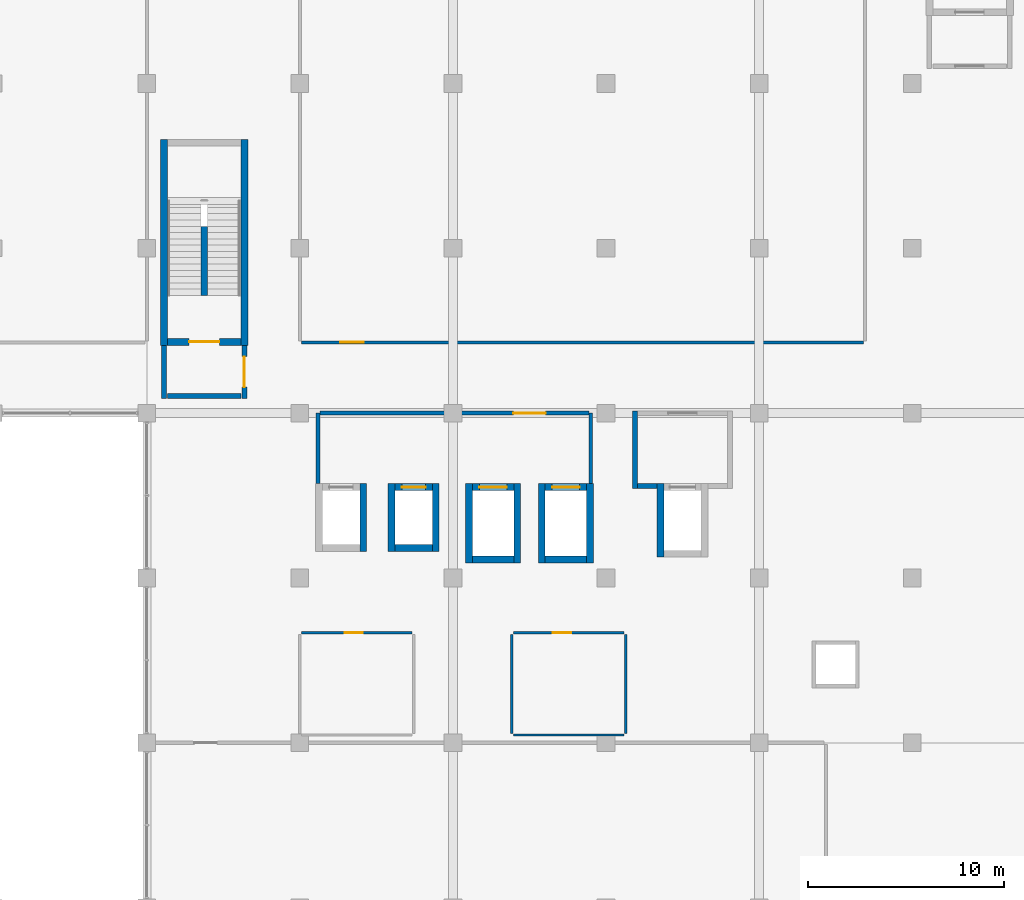
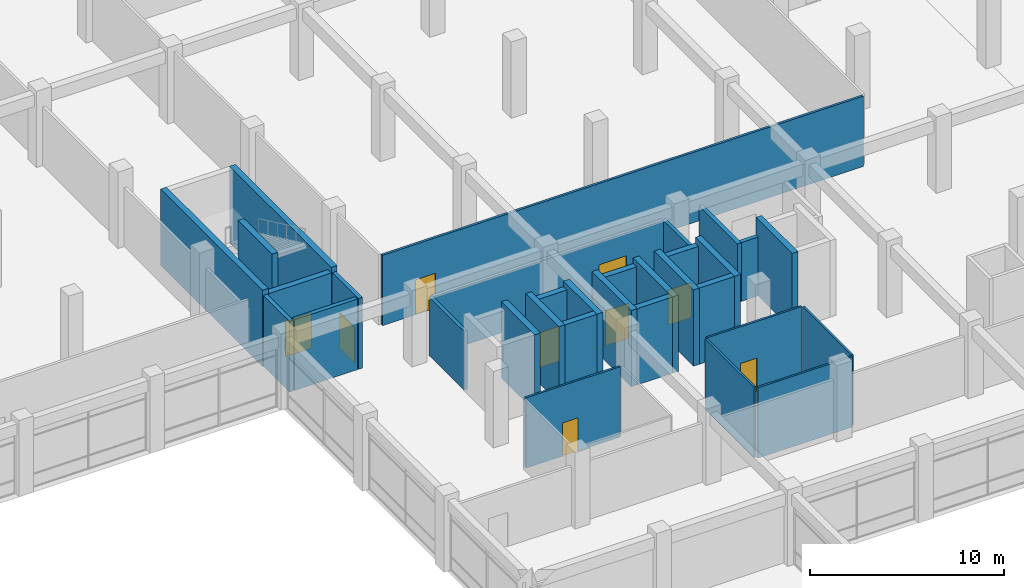
# One storey, part 58 of 79: 32 walls, 9 doors, 9 openings.
"""IFC4 building model written with IfcOpenShell, lengths in metres."""

from ifc_helpers import new_model, si_unit, direction, frame, frame_2d, origin, place, context, subcontext, project, spatial, rectangle, extrude, material, layer, layer_set, type_object, element, fill, save


model = new_model("IFC4")

# Units and contexts
model_context = context("Model", 3, precision=1e-05, world=origin(), true_north=direction((0.0, 1.0)))
body_context = subcontext(model_context, "Body", "Model", "MODEL_VIEW")
ifc_project = project(units=[si_unit("LENGTHUNIT", "METRE"), si_unit("AREAUNIT", "SQUARE_METRE"), si_unit("VOLUMEUNIT", "CUBIC_METRE"), si_unit("PLANEANGLEUNIT", "RADIAN"), si_unit("MASSUNIT", "GRAM", prefix="KILO"), si_unit("THERMODYNAMICTEMPERATUREUNIT", "KELVIN"), si_unit("POWERUNIT", "WATT")], contexts=[model_context])

# Site, building, storey
site_placement = place(None, origin())
site = spatial("IfcSite", under=ifc_project, at=site_placement, CompositionType="ELEMENT")
building_placement = place(site_placement, origin())
building = spatial("IfcBuilding", under=site, at=building_placement, Name="Srebrne Nadtorze General Hospital", CompositionType="ELEMENT")
storey_placement = place(building_placement, frame((0.0, 0.0, 4.800048828125)))
storey = spatial("IfcBuildingStorey", under=building, at=storey_placement, Name="L01", CompositionType="ELEMENT", Elevation=4.800048828125)

# Wall, opening, door
ifc_material_1 = material(Name="Gypsum Healthcare Partition")
ifc_layer_1 = layer(ifc_material_1, 0.139892578125)
ifc_layer_set_1 = layer_set([ifc_layer_1], Name="Gypsum Healthcare Partition")
wall_type_1 = type_object("IfcWallType", Name="Clinical partition 140", PredefinedType="PARTITIONING", material=ifc_layer_set_1)
wall_1_placement = place(storey_placement, frame((109.284912109375, 54.0, 0.0), z_axis=(0.0, 0.0, 1.0), x_axis=(1.0, 0.0, 0.0)))
wall_1 = element("IfcWall", 1, at=wall_1_placement, inside=storey, type_object=wall_type_1, Name="Nuclear Medicine Diagnostics wall WL-INT-L01-1447", PredefinedType="PARTITIONING", context=body_context, shape_type="SweptSolid", body=[
    extrude(rectangle(XDim=28.630126953125, YDim=0.139892578125, at=frame_2d((14.31494140625, 0.0))), origin(), (0.0, 0.0, 1.0), 4.429931640625),
])
opening_1_placement = place(wall_1_placement, frame((1.9814453125, 0.0, 0.0)))
opening_1 = element("IfcOpeningElement", 2, at=opening_1_placement, cuts=wall_1, Name="Opening D-L01-0227", PredefinedType="OPENING", context=body_context, shape_type="SweptSolid", body=[
    extrude(rectangle(XDim=1.179931640625, YDim=2.199951171875, at=frame_2d((0.58984375, 1.10009765625))), frame((0.0, 0.08203125, 0.0), z_axis=(0.0, -1.0, 0.0), x_axis=(1.0, 0.0, 0.0)), (0.0, 0.0, 1.0), 0.163818359375),
])
ifc_material_2 = material(Name="Anodised Aluminium", Category="aluminium")
door_type_1 = type_object("IfcDoorType", Name="Single leaf door 1180x2200", OperationType="NOTDEFINED", PredefinedType="DOOR", material=ifc_material_2)
door_1_placement = place(opening_1_placement, origin())
door_1 = element("IfcDoor", 3, at=door_1_placement, inside=storey, type_object=door_type_1, Name="Nuclear Medicine Diagnostics door D-L01-0227", OperationType="SINGLE_SWING_LEFT", OverallHeight=2.199951171875, OverallWidth=1.179931640625, PredefinedType="DOOR", context=body_context, shape_type="SweptSolid", body=[
    extrude(rectangle(XDim=1.179931640625, YDim=2.199951171875, at=frame_2d((0.58984375, 1.10009765625))), frame((0.0, 0.02490234375, 0.0), z_axis=(0.0, -1.0, 0.0), x_axis=(1.0, 0.0, 0.0)), (0.0, 0.0, 1.0), 0.050048828125),
])
fill(opening_1, door_1)

# Walls
ifc_material_3 = material(Name="Gypsum Healthcare Partition")
ifc_layer_2 = layer(ifc_material_3, 0.199951171875)
ifc_layer_set_2 = layer_set([ifc_layer_2], Name="Gypsum Healthcare Partition")
wall_type_2 = type_object("IfcWallType", Name="Compartment wall 200", PredefinedType="STANDARD", material=ifc_layer_set_2)
for number, where, z_axis, x_axis, name in (
    (4, (110.1298828125, 46.81005859375, 0.0), (0.0, 0.0, 1.0), (0.0, 1.0, 0.0), "Lift lobby side wall WL-INT-L01-0954"),
    (5, (124.02001953125, 46.81005859375, 0.0), (0.0, 0.0, 1.0), (0.0, 1.0, 0.0), "Lift lobby side wall WL-INT-L01-0955"),
):
    element("IfcWall", number, at=place(storey_placement, frame(where, z_axis=z_axis, x_axis=x_axis)), inside=storey, type_object=wall_type_2, Name=name, PredefinedType="STANDARD", context=body_context, shape_type="SweptSolid", body=[
        extrude(rectangle(XDim=3.58984375, YDim=0.199951171875, at=frame_2d((1.794921875, 0.0))), origin(), (0.0, 0.0, 1.0), 3.699951171875),
    ])

# Wall, opening, door
wall_2_placement = place(storey_placement, frame((110.22998046875, 50.39990234375, 0.0), z_axis=(0.0, 0.0, 1.0), x_axis=(1.0, 0.0, 0.0)))
wall_2 = element("IfcWall", 6, at=wall_2_placement, inside=storey, type_object=wall_type_2, Name="Lift lobby corridor wall WL-INT-L01-0956", PredefinedType="STANDARD", context=body_context, shape_type="SweptSolid", body=[
    extrude(rectangle(XDim=13.68994140625, YDim=0.199951171875, at=frame_2d((6.844970703125, 0.0))), origin(), (0.0, 0.0, 1.0), 3.699951171875),
])
opening_2_placement = place(wall_2_placement, frame((9.844970703125, 0.0, 0.0)))
opening_2 = element("IfcOpeningElement", 7, at=opening_2_placement, cuts=wall_2, Name="Opening D-L01-0131", PredefinedType="OPENING", context=body_context, shape_type="SweptSolid", body=[
    extrude(rectangle(XDim=1.64990234375, YDim=2.25, at=frame_2d((0.824951171875, 1.125))), frame((0.0, 0.11181640625, 0.0), z_axis=(0.0, -1.0, 0.0), x_axis=(1.0, 0.0, 0.0)), (0.0, 0.0, 1.0), 0.223876953125),
])
ifc_material_4 = material(Name="Anodised Aluminium", Category="aluminium")
door_type_2 = type_object("IfcDoorType", Name="Double leaf door 1650x2250", OperationType="DOUBLE_DOOR_SINGLE_SWING", PredefinedType="DOOR", material=ifc_material_4)
door_2_placement = place(opening_2_placement, origin())
door_2 = element("IfcDoor", 8, at=door_2_placement, inside=storey, type_object=door_type_2, Name="Lift lobby corridor door D-L01-0131", OperationType="DOUBLE_DOOR_SINGLE_SWING", OverallHeight=2.25, OverallWidth=1.64990234375, PredefinedType="DOOR", context=body_context, shape_type="SweptSolid", body=[
    extrude(rectangle(XDim=1.64990234375, YDim=2.25, at=frame_2d((0.824951171875, 1.125))), frame((0.0, 0.02490234375, 0.0), z_axis=(0.0, -1.0, 0.0), x_axis=(1.0, 0.0, 0.0)), (0.0, 0.0, 1.0), 0.050048828125),
])
fill(opening_2, door_2)

# Wall
ifc_material_5 = material(Name="Gypsum Healthcare Partition")
ifc_layer_3 = layer(ifc_material_5, 0.239990234375)
ifc_layer_set_3 = layer_set([ifc_layer_3], Name="Gypsum Healthcare Partition")
wall_type_3 = type_object("IfcWallType", Name="Corridor fire wall 240", PredefinedType="STANDARD", material=ifc_layer_set_3)
wall_3_placement = place(storey_placement, frame((102.27490234375, 51.155029296875, 0.0), z_axis=(0.0, 0.0, 1.0), x_axis=(0.0, 1.0, 0.0)))
element("IfcWall", 9, at=wall_3_placement, inside=storey, type_object=wall_type_3, Name="Fire lobby wall ST-03 WL-INT-L01-0149", PredefinedType="STANDARD", context=body_context, shape_type="SweptSolid", body=[
    extrude(rectangle(XDim=2.695068359375, YDim=0.239990234375, at=frame_2d((1.34765625, 0.0))), origin(), (0.0, 0.0, 1.0), 4.449951171875),
])

# Wall, opening, door
wall_4_placement = place(storey_placement, frame((106.375, 51.155029296875, 0.0), z_axis=(0.0, 0.0, 1.0), x_axis=(0.0, 1.0, 0.0)))
wall_4 = element("IfcWall", 10, at=wall_4_placement, inside=storey, type_object=wall_type_3, Name="Fire lobby wall ST-03 WL-INT-L01-0150", PredefinedType="STANDARD", context=body_context, shape_type="SweptSolid", body=[
    extrude(rectangle(XDim=2.695068359375, YDim=0.239990234375, at=frame_2d((1.34765625, 0.0))), origin(), (0.0, 0.0, 1.0), 4.449951171875),
])
opening_3_placement = place(wall_4_placement, frame((0.572509765625, 0.0, 0.0)))
opening_3 = element("IfcOpeningElement", 11, at=opening_3_placement, cuts=wall_4, Name="Opening D-L01-0038", PredefinedType="OPENING", context=body_context, shape_type="SweptSolid", body=[
    extrude(rectangle(XDim=1.550048828125, YDim=2.25, at=frame_2d((0.77490234375, 1.125))), frame((0.0, 0.1318359375, 0.0), z_axis=(0.0, -1.0, 0.0), x_axis=(1.0, 0.0, 0.0)), (0.0, 0.0, 1.0), 0.263916015625),
])
ifc_material_6 = material(Name="Anodised Aluminium", Category="aluminium")
door_type_3 = type_object("IfcDoorType", Name="Double leaf door 1550x2250", OperationType="DOUBLE_DOOR_SINGLE_SWING", PredefinedType="DOOR", material=ifc_material_6)
door_3_placement = place(opening_3_placement, origin())
door_3 = element("IfcDoor", 12, at=door_3_placement, inside=storey, type_object=door_type_3, Name="Fire lobby door ST-03 D-L01-0038", OperationType="DOUBLE_DOOR_SINGLE_SWING", OverallHeight=2.25, OverallWidth=1.550048828125, PredefinedType="DOOR", context=body_context, shape_type="SweptSolid", body=[
    extrude(rectangle(XDim=1.550048828125, YDim=2.25, at=frame_2d((0.77490234375, 1.125))), frame((0.0, 0.02490234375, 0.0), z_axis=(0.0, -1.0, 0.0), x_axis=(1.0, 0.0, 0.0)), (0.0, 0.0, 1.0), 0.050048828125),
])
fill(opening_3, door_3)

# Walls
wall_5_placement = place(storey_placement, frame((102.449951171875, 51.27490234375, 0.0), z_axis=(0.0, 0.0, 1.0), x_axis=(1.0, 0.0, 0.0)))
element("IfcWall", 13, at=wall_5_placement, inside=storey, type_object=wall_type_3, Name="Fire lobby entry wall ST-03 WL-INT-L01-0151", PredefinedType="STANDARD", context=body_context, shape_type="SweptSolid", body=[
    extrude(rectangle(XDim=3.75, YDim=0.239990234375, at=frame_2d((1.875, 0.0))), origin(), (0.0, 0.0, 1.0), 4.449951171875),
])
wall_6_placement = place(storey_placement, frame((126.280029296875, 46.570068359375, 0.0), z_axis=(0.0, 0.0, 1.0), x_axis=(0.0, 1.0, 0.0)))
element("IfcWall", 14, at=wall_6_placement, inside=storey, type_object=wall_type_3, Name="FF lift lobby wall WL-INT-L01-0949", PredefinedType="STANDARD", context=body_context, shape_type="SweptSolid", body=[
    extrude(rectangle(XDim=3.949951171875, YDim=0.239990234375, at=frame_2d((1.97509765625, 0.0))), origin(), (0.0, 0.0, 1.0), 3.699951171875),
])
wall_7_placement = place(storey_placement, frame((126.39990234375, 46.68994140625, 0.0), z_axis=(0.0, 0.0, 1.0), x_axis=(1.0, 0.0, 0.0)))
element("IfcWall", 15, at=wall_7_placement, inside=storey, type_object=wall_type_3, Name="FF lift lobby return wall WL-INT-L01-0951", PredefinedType="STANDARD", context=body_context, shape_type="SweptSolid", body=[
    extrude(rectangle(XDim=1.0, YDim=0.239990234375, at=frame_2d((0.5, 0.0))), origin(), (0.0, 0.0, 1.0), 3.699951171875),
])

# Wall, opening, door
ifc_material_7 = material(Name="Gypsum Healthcare Partition")
ifc_layer_4 = layer(ifc_material_7, 0.1201171875)
ifc_layer_set_4 = layer_set([ifc_layer_4], Name="Gypsum Healthcare Partition")
wall_type_4 = type_object("IfcWallType", Name="En-suite partition 120", PredefinedType="PARTITIONING", material=ifc_layer_set_4)
wall_8_placement = place(storey_placement, frame((109.284912109375, 39.199951171875, 0.0), z_axis=(0.0, 0.0, 1.0), x_axis=(1.0, 0.0, 0.0)))
wall_8 = element("IfcWall", 16, at=wall_8_placement, inside=storey, type_object=wall_type_4, Name="Public WC wall WL-INT-L01-1483", PredefinedType="PARTITIONING", context=body_context, shape_type="SweptSolid", body=[
    extrude(rectangle(XDim=5.630126953125, YDim=0.1201171875, at=frame_2d((2.81494140625, 0.0))), origin(), (0.0, 0.0, 1.0), 4.429931640625),
])
opening_4_placement = place(wall_8_placement, frame((2.193115234375, 0.0, 0.0)))
opening_4 = element("IfcOpeningElement", 17, at=opening_4_placement, cuts=wall_8, Name="Opening D-L01-0236", PredefinedType="OPENING", context=body_context, shape_type="SweptSolid", body=[
    extrude(rectangle(XDim=0.919921875, YDim=2.080078125, at=frame_2d((0.4599609375, 1.0400390625))), frame((0.0, 0.072021484375, 0.0), z_axis=(0.0, -1.0, 0.0), x_axis=(1.0, 0.0, 0.0)), (0.0, 0.0, 1.0), 0.14404296875),
])
ifc_material_8 = material(Name="Anodised Aluminium", Category="aluminium")
door_type_4 = type_object("IfcDoorType", Name="Single leaf door 920x2080", OperationType="NOTDEFINED", PredefinedType="DOOR", material=ifc_material_8)
door_4_placement = place(opening_4_placement, frame((0.919921875, 0.0, 0.0), z_axis=(0.0, 0.0, 1.0), x_axis=(-1.0, 0.0, 0.0)))
door_4 = element("IfcDoor", 18, at=door_4_placement, inside=storey, type_object=door_type_4, Name="Public WC door D-L01-0236", OperationType="SINGLE_SWING_LEFT", OverallHeight=2.080078125, OverallWidth=0.919921875, PredefinedType="DOOR", context=body_context, shape_type="SweptSolid", body=[
    extrude(rectangle(XDim=0.919921875, YDim=2.080078125, at=frame_2d((0.4599609375, 1.0400390625))), frame((0.0, 0.02490234375, 0.0), z_axis=(0.0, -1.0, 0.0), x_axis=(1.0, 0.0, 0.0)), (0.0, 0.0, 1.0), 0.050048828125),
])
fill(opening_4, door_4)

wall_9_placement = place(storey_placement, frame((120.0849609375, 39.199951171875, 0.0), z_axis=(0.0, 0.0, 1.0), x_axis=(1.0, 0.0, 0.0)))
wall_9 = element("IfcWall", 19, at=wall_9_placement, inside=storey, type_object=wall_type_4, Name="Staff WC wall WL-INT-L01-1487", PredefinedType="PARTITIONING", context=body_context, shape_type="SweptSolid", body=[
    extrude(rectangle(XDim=5.630126953125, YDim=0.1201171875, at=frame_2d((2.81494140625, 0.0))), origin(), (0.0, 0.0, 1.0), 4.429931640625),
])
opening_5_placement = place(wall_9_placement, frame((1.987548828125, 0.0, 0.0)))
opening_5 = element("IfcOpeningElement", 20, at=opening_5_placement, cuts=wall_9, Name="Opening D-L01-0237", PredefinedType="OPENING", context=body_context, shape_type="SweptSolid", body=[
    extrude(rectangle(XDim=0.9599609375, YDim=2.1201171875, at=frame_2d((0.47998046875, 1.06005859375))), frame((0.0, 0.072021484375, 0.0), z_axis=(0.0, -1.0, 0.0), x_axis=(1.0, 0.0, 0.0)), (0.0, 0.0, 1.0), 0.14404296875),
])
ifc_material_9 = material(Name="Anodised Aluminium", Category="aluminium")
door_type_5 = type_object("IfcDoorType", Name="Single leaf door 960x2120", OperationType="NOTDEFINED", PredefinedType="DOOR", material=ifc_material_9)
door_5_placement = place(opening_5_placement, frame((0.9599609375, 0.0, 0.0), z_axis=(0.0, 0.0, 1.0), x_axis=(-1.0, 0.0, 0.0)))
door_5 = element("IfcDoor", 21, at=door_5_placement, inside=storey, type_object=door_type_5, Name="Staff WC door D-L01-0237", OperationType="SINGLE_SWING_RIGHT", OverallHeight=2.1201171875, OverallWidth=0.9599609375, PredefinedType="DOOR", context=body_context, shape_type="SweptSolid", body=[
    extrude(rectangle(XDim=0.9599609375, YDim=2.1201171875, at=frame_2d((0.47998046875, 1.06005859375))), frame((0.0, 0.02490234375, 0.0), z_axis=(0.0, -1.0, 0.0), x_axis=(1.0, 0.0, 0.0)), (0.0, 0.0, 1.0), 0.050048828125),
])
fill(opening_5, door_5)

# Walls
wall_10_placement = place(storey_placement, frame((120.0849609375, 34.0, 0.0), z_axis=(0.0, 0.0, 1.0), x_axis=(1.0, 0.0, 0.0)))
element("IfcWall", 22, at=wall_10_placement, inside=storey, type_object=wall_type_4, Name="Staff WC wall WL-INT-L01-1488", PredefinedType="PARTITIONING", context=body_context, shape_type="SweptSolid", body=[
    extrude(rectangle(XDim=5.630126953125, YDim=0.1201171875, at=frame_2d((2.81494140625, 0.0))), origin(), (0.0, 0.0, 1.0), 4.429931640625),
])
for number, where, z_axis, x_axis, name in (
    (23, (120.0, 34.0849609375, 0.0), (0.0, 0.0, 1.0), (0.0, 1.0, 0.0), "Staff WC wall WL-INT-L01-1489"),
    (24, (125.800048828125, 34.0849609375, 0.0), (0.0, 0.0, 1.0), (0.0, 1.0, 0.0), "Staff WC wall WL-INT-L01-1490"),
):
    element("IfcWall", number, at=place(storey_placement, frame(where, z_axis=z_axis, x_axis=x_axis)), inside=storey, type_object=wall_type_4, Name=name, PredefinedType="PARTITIONING", context=body_context, shape_type="SweptSolid", body=[
        extrude(rectangle(XDim=5.030029296875, YDim=0.1201171875, at=frame_2d((2.51513671875, 0.0))), origin(), (0.0, 0.0, 1.0), 4.429931640625),
    ])
ifc_material_10 = material(Name="Concrete C40/50", Category="concrete")
ifc_layer_5 = layer(ifc_material_10, 0.35009765625)
ifc_layer_set_5 = layer_set([ifc_layer_5], Name="Concrete C40/50")
wall_type_5 = type_object("IfcWallType", Name="Shear core wall 350", PredefinedType="SHEAR", material=ifc_layer_set_5)
for number, where, z_axis, x_axis, name in (
    (25, (102.27490234375, 53.85009765625, 0.0), (0.0, 0.0, 1.0), (0.0, 1.0, 0.0), "Stair core wall ST-03 WL-INT-L01-0145"),
    (26, (106.375, 53.85009765625, 0.0), (0.0, 0.0, 1.0), (0.0, 1.0, 0.0), "Stair core wall ST-03 WL-INT-L01-0146"),
):
    element("IfcWall", number, at=place(storey_placement, frame(where, z_axis=z_axis, x_axis=x_axis)), inside=storey, type_object=wall_type_5, Name=name, PredefinedType="SHEAR", context=body_context, shape_type="SweptSolid", body=[
        extrude(rectangle(XDim=10.5, YDim=0.35009765625, at=frame_2d((5.25, 0.0))), origin(), (0.0, 0.0, 1.0), 4.800048828125),
    ])

# Wall, opening, door
wall_11_placement = place(storey_placement, frame((102.449951171875, 54.02490234375, 0.0), z_axis=(0.0, 0.0, 1.0), x_axis=(1.0, 0.0, 0.0)))
wall_11 = element("IfcWall", 27, at=wall_11_placement, inside=storey, type_object=wall_type_5, Name="Stairwell fire wall ST-03 WL-INT-L01-0148", PredefinedType="SHEAR", context=body_context, shape_type="SweptSolid", body=[
    extrude(rectangle(XDim=3.75, YDim=0.35009765625, at=frame_2d((1.875, 0.0))), origin(), (0.0, 0.0, 1.0), 4.449951171875),
])
opening_6_placement = place(wall_11_placement, frame((1.10009765625, 0.0, 0.0)))
opening_6 = element("IfcOpeningElement", 28, at=opening_6_placement, cuts=wall_11, Name="Opening D-L01-0037", PredefinedType="OPENING", context=body_context, shape_type="SweptSolid", body=[
    extrude(rectangle(XDim=1.550048828125, YDim=2.25, at=frame_2d((0.77490234375, 1.125))), frame((0.0, 0.18701171875, 0.0), z_axis=(0.0, -1.0, 0.0), x_axis=(1.0, 0.0, 0.0)), (0.0, 0.0, 1.0), 0.3740234375),
])
door_6_placement = place(opening_6_placement, origin())
door_6 = element("IfcDoor", 29, at=door_6_placement, inside=storey, type_object=door_type_3, Name="Protected stair door ST-03 D-L01-0037", OperationType="DOUBLE_DOOR_SINGLE_SWING", OverallHeight=2.25, OverallWidth=1.550048828125, PredefinedType="DOOR", context=body_context, shape_type="SweptSolid", body=[
    extrude(rectangle(XDim=1.550048828125, YDim=2.25, at=frame_2d((0.77490234375, 1.125))), frame((0.0, 0.02490234375, 0.0), z_axis=(0.0, -1.0, 0.0), x_axis=(1.0, 0.0, 0.0)), (0.0, 0.0, 1.0), 0.050048828125),
])
fill(opening_6, door_6)

# Walls
wall_12_placement = place(storey_placement, frame((104.324951171875, 56.39990234375, 0.0), z_axis=(0.0, 0.0, 1.0), x_axis=(0.0, 1.0, 0.0)))
element("IfcWall", 30, at=wall_12_placement, inside=storey, type_object=wall_type_5, Name="Stair spine wall ST-03 WL-INT-L01-0152", PredefinedType="SHEAR", context=body_context, shape_type="SweptSolid", body=[
    extrude(rectangle(XDim=3.52001953125, YDim=0.35009765625, at=frame_2d((1.760009765625, 0.0))), origin(), (0.0, 0.0, 1.0), 4.800048828125),
])
for number, where, z_axis, x_axis, name in (
    (31, (112.425048828125, 43.360107421875, 0.0), (0.0, 0.0, 1.0), (0.0, 1.0, 0.0), "Lift shaft wall LP-03 WL-INT-L01-0707"),
    (32, (113.875, 43.360107421875, 0.0), (0.0, 0.0, 1.0), (0.0, 1.0, 0.0), "Lift shaft wall LP-04 WL-INT-L01-0738"),
    (33, (116.125, 43.360107421875, 0.0), (0.0, 0.0, 1.0), (0.0, 1.0, 0.0), "Lift shaft wall LP-04 WL-INT-L01-0739"),
):
    element("IfcWall", number, at=place(storey_placement, frame(where, z_axis=z_axis, x_axis=x_axis)), inside=storey, type_object=wall_type_5, Name=name, PredefinedType="SHEAR", context=body_context, shape_type="SweptSolid", body=[
        extrude(rectangle(XDim=3.449951171875, YDim=0.35009765625, at=frame_2d((1.72509765625, 0.0))), origin(), (0.0, 0.0, 1.0), 4.800048828125),
    ])
wall_13_placement = place(storey_placement, frame((114.050048828125, 43.534912109375, 0.0), z_axis=(0.0, 0.0, 1.0), x_axis=(1.0, 0.0, 0.0)))
element("IfcWall", 34, at=wall_13_placement, inside=storey, type_object=wall_type_5, Name="Lift shaft back wall LP-04 WL-INT-L01-0740", PredefinedType="SHEAR", context=body_context, shape_type="SweptSolid", body=[
    extrude(rectangle(XDim=1.89990234375, YDim=0.35009765625, at=frame_2d((0.949951171875, 0.0))), origin(), (0.0, 0.0, 1.0), 4.800048828125),
])

# Wall, opening, door
wall_14_placement = place(storey_placement, frame((114.050048828125, 46.635009765625, 0.0), z_axis=(0.0, 0.0, 1.0), x_axis=(1.0, 0.0, 0.0)))
wall_14 = element("IfcWall", 35, at=wall_14_placement, inside=storey, type_object=wall_type_5, Name="Lift shaft front wall LP-04 WL-INT-L01-0741", PredefinedType="SHEAR", context=body_context, shape_type="SweptSolid", body=[
    extrude(rectangle(XDim=1.89990234375, YDim=0.35009765625, at=frame_2d((0.949951171875, 0.0))), origin(), (0.0, 0.0, 1.0), 4.449951171875),
])
opening_7_placement = place(wall_14_placement, frame((0.35009765625, 0.0, 0.0)))
opening_7 = element("IfcOpeningElement", 36, at=opening_7_placement, cuts=wall_14, Name="Opening LD-L01-069", PredefinedType="OPENING", context=body_context, shape_type="SweptSolid", body=[
    extrude(rectangle(XDim=1.199951171875, YDim=2.199951171875, at=frame_2d((0.60009765625, 1.10009765625))), frame((0.0, 0.18701171875, 0.0), z_axis=(0.0, -1.0, 0.0), x_axis=(1.0, 0.0, 0.0)), (0.0, 0.0, 1.0), 0.3740234375),
])
ifc_material_11 = material(Name="Anodised Aluminium", Category="aluminium")
door_type_6 = type_object("IfcDoorType", Name="Sliding lift door 1200x2200", OperationType="SLIDING_TO_LEFT", PredefinedType="DOOR", material=ifc_material_11)
door_7_placement = place(opening_7_placement, origin())
door_7 = element("IfcDoor", 37, at=door_7_placement, inside=storey, type_object=door_type_6, Name="Lift Landing Door LD-L01-069", OperationType="SLIDING_TO_LEFT", OverallHeight=2.199951171875, OverallWidth=1.199951171875, PredefinedType="DOOR", context=body_context, shape_type="SweptSolid", body=[
    extrude(rectangle(XDim=1.199951171875, YDim=2.199951171875, at=frame_2d((0.60009765625, 1.10009765625))), frame((0.0, 0.02490234375, 0.0), z_axis=(0.0, -1.0, 0.0), x_axis=(1.0, 0.0, 0.0)), (0.0, 0.0, 1.0), 0.050048828125),
])
fill(opening_7, door_7)

# Walls
for number, where, z_axis, x_axis, name in (
    (38, (117.824951171875, 42.760009765625, 0.0), (0.0, 0.0, 1.0), (0.0, 1.0, 0.0), "Lift shaft wall LS-03 WL-INT-L01-0770"),
    (39, (120.27490234375, 42.760009765625, 0.0), (0.0, 0.0, 1.0), (0.0, 1.0, 0.0), "Lift shaft wall LS-03 WL-INT-L01-0771"),
):
    element("IfcWall", number, at=place(storey_placement, frame(where, z_axis=z_axis, x_axis=x_axis)), inside=storey, type_object=wall_type_5, Name=name, PredefinedType="SHEAR", context=body_context, shape_type="SweptSolid", body=[
        extrude(rectangle(XDim=4.050048828125, YDim=0.35009765625, at=frame_2d((2.02490234375, 0.0))), origin(), (0.0, 0.0, 1.0), 4.800048828125),
    ])
wall_15_placement = place(storey_placement, frame((118.0, 42.93505859375, 0.0), z_axis=(0.0, 0.0, 1.0), x_axis=(1.0, 0.0, 0.0)))
element("IfcWall", 40, at=wall_15_placement, inside=storey, type_object=wall_type_5, Name="Lift shaft back wall LS-03 WL-INT-L01-0772", PredefinedType="SHEAR", context=body_context, shape_type="SweptSolid", body=[
    extrude(rectangle(XDim=2.10009765625, YDim=0.35009765625, at=frame_2d((1.050048828125, 0.0))), origin(), (0.0, 0.0, 1.0), 4.800048828125),
])

# Wall, opening, door
wall_16_placement = place(storey_placement, frame((118.0, 46.635009765625, 0.0), z_axis=(0.0, 0.0, 1.0), x_axis=(1.0, 0.0, 0.0)))
wall_16 = element("IfcWall", 41, at=wall_16_placement, inside=storey, type_object=wall_type_5, Name="Lift shaft front wall LS-03 WL-INT-L01-0773", PredefinedType="SHEAR", context=body_context, shape_type="SweptSolid", body=[
    extrude(rectangle(XDim=2.10009765625, YDim=0.35009765625, at=frame_2d((1.050048828125, 0.0))), origin(), (0.0, 0.0, 1.0), 4.449951171875),
])
opening_8_placement = place(wall_16_placement, frame((0.35009765625, 0.0, 0.0)))
opening_8 = element("IfcOpeningElement", 42, at=opening_8_placement, cuts=wall_16, Name="Opening LD-L01-077", PredefinedType="OPENING", context=body_context, shape_type="SweptSolid", body=[
    extrude(rectangle(XDim=1.39990234375, YDim=2.199951171875, at=frame_2d((0.699951171875, 1.10009765625))), frame((0.0, 0.18701171875, 0.0), z_axis=(0.0, -1.0, 0.0), x_axis=(1.0, 0.0, 0.0)), (0.0, 0.0, 1.0), 0.3740234375),
])
ifc_material_12 = material(Name="Anodised Aluminium", Category="aluminium")
door_type_7 = type_object("IfcDoorType", Name="Sliding lift door 1400x2200", OperationType="SLIDING_TO_LEFT", PredefinedType="DOOR", material=ifc_material_12)
door_8_placement = place(opening_8_placement, origin())
door_8 = element("IfcDoor", 43, at=door_8_placement, inside=storey, type_object=door_type_7, Name="Lift Landing Door LD-L01-077", OperationType="SLIDING_TO_LEFT", OverallHeight=2.199951171875, OverallWidth=1.39990234375, PredefinedType="DOOR", context=body_context, shape_type="SweptSolid", body=[
    extrude(rectangle(XDim=1.39990234375, YDim=2.199951171875, at=frame_2d((0.699951171875, 1.10009765625))), frame((0.0, 0.02490234375, 0.0), z_axis=(0.0, -1.0, 0.0), x_axis=(1.0, 0.0, 0.0)), (0.0, 0.0, 1.0), 0.050048828125),
])
fill(opening_8, door_8)

# Walls
for number, where, z_axis, x_axis, name in (
    (44, (121.52490234375, 42.760009765625, 0.0), (0.0, 0.0, 1.0), (0.0, 1.0, 0.0), "Lift shaft wall LS-04 WL-INT-L01-0806"),
    (45, (123.97509765625, 42.760009765625, 0.0), (0.0, 0.0, 1.0), (0.0, 1.0, 0.0), "Lift shaft wall LS-04 WL-INT-L01-0807"),
):
    element("IfcWall", number, at=place(storey_placement, frame(where, z_axis=z_axis, x_axis=x_axis)), inside=storey, type_object=wall_type_5, Name=name, PredefinedType="SHEAR", context=body_context, shape_type="SweptSolid", body=[
        extrude(rectangle(XDim=4.050048828125, YDim=0.35009765625, at=frame_2d((2.02490234375, 0.0))), origin(), (0.0, 0.0, 1.0), 4.800048828125),
    ])
wall_17_placement = place(storey_placement, frame((121.699951171875, 42.93505859375, 0.0), z_axis=(0.0, 0.0, 1.0), x_axis=(1.0, 0.0, 0.0)))
element("IfcWall", 46, at=wall_17_placement, inside=storey, type_object=wall_type_5, Name="Lift shaft back wall LS-04 WL-INT-L01-0808", PredefinedType="SHEAR", context=body_context, shape_type="SweptSolid", body=[
    extrude(rectangle(XDim=2.10009765625, YDim=0.35009765625, at=frame_2d((1.050048828125, 0.0))), origin(), (0.0, 0.0, 1.0), 4.800048828125),
])

# Wall, opening, door
wall_18_placement = place(storey_placement, frame((121.699951171875, 46.635009765625, 0.0), z_axis=(0.0, 0.0, 1.0), x_axis=(1.0, 0.0, 0.0)))
wall_18 = element("IfcWall", 47, at=wall_18_placement, inside=storey, type_object=wall_type_5, Name="Lift shaft front wall LS-04 WL-INT-L01-0809", PredefinedType="SHEAR", context=body_context, shape_type="SweptSolid", body=[
    extrude(rectangle(XDim=2.10009765625, YDim=0.35009765625, at=frame_2d((1.050048828125, 0.0))), origin(), (0.0, 0.0, 1.0), 4.449951171875),
])
opening_9_placement = place(wall_18_placement, frame((0.35009765625, 0.0, 0.0)))
opening_9 = element("IfcOpeningElement", 48, at=opening_9_placement, cuts=wall_18, Name="Opening LD-L01-086", PredefinedType="OPENING", context=body_context, shape_type="SweptSolid", body=[
    extrude(rectangle(XDim=1.39990234375, YDim=2.199951171875, at=frame_2d((0.699951171875, 1.10009765625))), frame((0.0, 0.18701171875, 0.0), z_axis=(0.0, -1.0, 0.0), x_axis=(1.0, 0.0, 0.0)), (0.0, 0.0, 1.0), 0.3740234375),
])
door_9_placement = place(opening_9_placement, origin())
door_9 = element("IfcDoor", 49, at=door_9_placement, inside=storey, type_object=door_type_7, Name="Lift Landing Door LD-L01-086", OperationType="SLIDING_TO_LEFT", OverallHeight=2.199951171875, OverallWidth=1.39990234375, PredefinedType="DOOR", context=body_context, shape_type="SweptSolid", body=[
    extrude(rectangle(XDim=1.39990234375, YDim=2.199951171875, at=frame_2d((0.699951171875, 1.10009765625))), frame((0.0, 0.02490234375, 0.0), z_axis=(0.0, -1.0, 0.0), x_axis=(1.0, 0.0, 0.0)), (0.0, 0.0, 1.0), 0.050048828125),
])
fill(opening_9, door_9)

# Wall
wall_19_placement = place(storey_placement, frame((127.574951171875, 43.06005859375, 0.0), z_axis=(0.0, 0.0, 1.0), x_axis=(0.0, 1.0, 0.0)))
element("IfcWall", 50, at=wall_19_placement, inside=storey, type_object=wall_type_5, Name="Lift shaft wall FL-03 WL-INT-L01-0842", PredefinedType="SHEAR", context=body_context, shape_type="SweptSolid", body=[
    extrude(rectangle(XDim=3.75, YDim=0.35009765625, at=frame_2d((1.875, 0.0))), origin(), (0.0, 0.0, 1.0), 4.800048828125),
])

save(model, "model.ifc")
